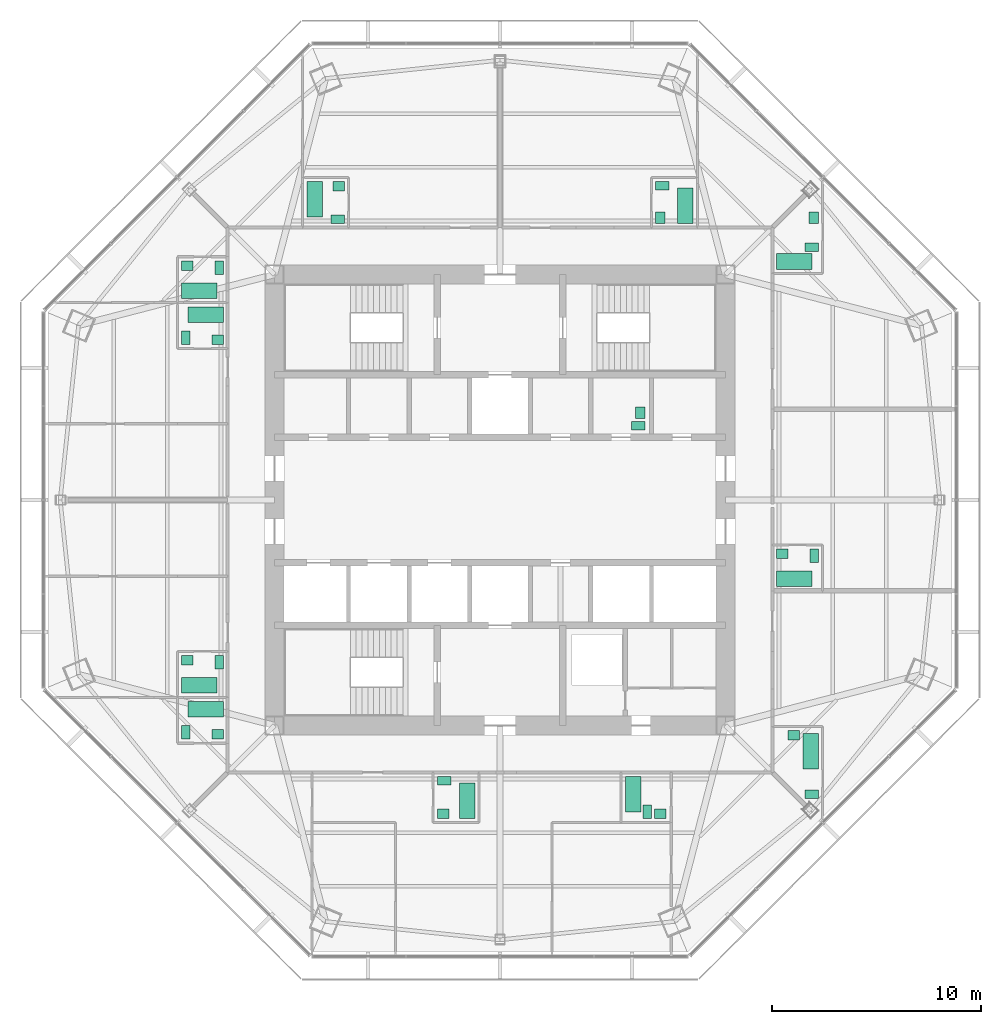
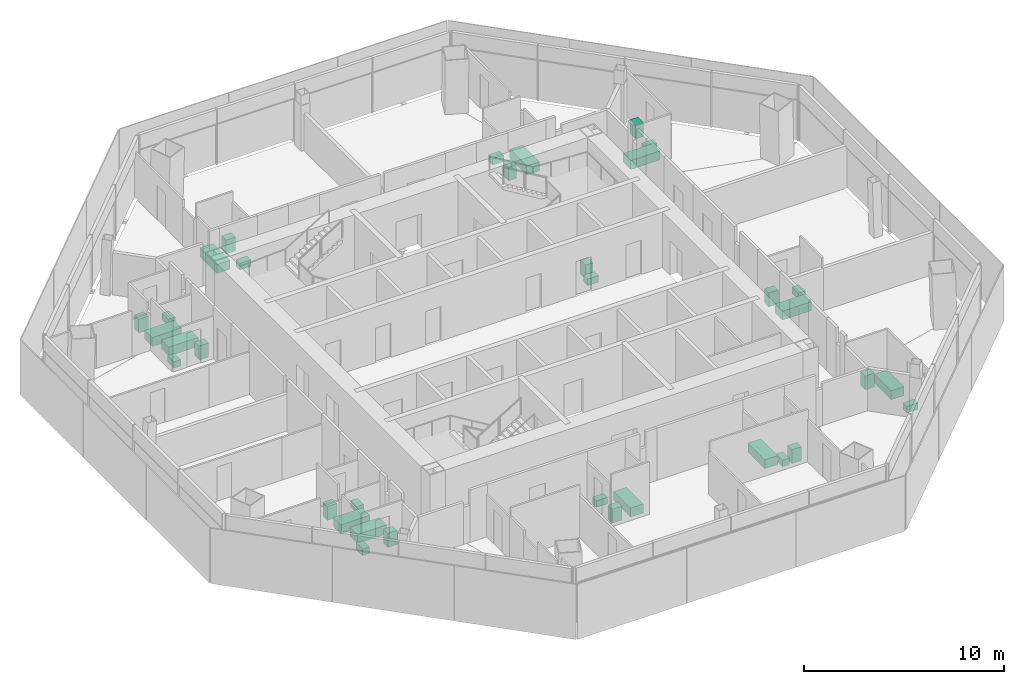
# One storey, part 16 of 16: 35 sanitary terminals.
"""IFC4 building model written with IfcOpenShell, lengths in metres."""

from ifc_helpers import new_model, si_unit, direction, frame, origin, origin_2d, place, context, subcontext, project, spatial, rectangle, extrude, material, type_object, element, save


model = new_model("IFC4")

# Units and contexts
model_context = context("Model", 3, precision=1e-05, world=origin(), true_north=direction((0.0, 1.0)))
body_context = subcontext(model_context, "Body", "Model", "MODEL_VIEW")
ifc_project = project(units=[si_unit("LENGTHUNIT", "METRE"), si_unit("AREAUNIT", "SQUARE_METRE"), si_unit("VOLUMEUNIT", "CUBIC_METRE"), si_unit("PLANEANGLEUNIT", "RADIAN"), si_unit("MASSUNIT", "GRAM", prefix="KILO")], contexts=[model_context])

# Site, building, storey
site_placement = place(None, origin())
site = spatial("IfcSite", under=ifc_project, at=site_placement, CompositionType="ELEMENT")
building_placement = place(site_placement, origin())
building = spatial("IfcBuilding", under=site, at=building_placement, Name="Mashrafa Tower", CompositionType="ELEMENT")
storey_placement = place(building_placement, frame((0.0, 0.0, 217.60009765625)))
storey = spatial("IfcBuildingStorey", under=building, at=storey_placement, Name="L50", CompositionType="ELEMENT", Elevation=217.60009765625)

# Sanitary terminals
ifc_material_1 = material(Name="Enamelled steel", Category="steel")
sanitary_terminal_type_1 = type_object("IfcSanitaryTerminalType", Name="Bath 1700 x 750", PredefinedType="BATH", material=ifc_material_1)
for number, where, z_axis, x_axis, name in (
    (1, (14.875, -12.044189453125, 0.0), (0.0, 0.0, 1.0), (0.0, 1.0, 0.0), "Bath Apartment 5001 Bathroom"),
    (2, (14.10009765625, -3.77490234375, 0.0), (0.0, 0.0, 1.0), (1.0, 0.0, 0.0), "Bath Apartment 5002 Bathroom"),
    (3, (14.10009765625, 11.425048828125, 0.0), (0.0, 0.0, 1.0), (1.0, 0.0, 0.0), "Bath Apartment 5003 Bathroom"),
    (4, (8.875, 14.10009765625, 0.0), (0.0, 0.0, 1.0), (0.0, 1.0, 0.0), "Bath Apartment 5004 Bathroom"),
    (5, (-8.875, 14.39990234375, 0.0), (0.0, 0.0, 1.0), (0.0, -1.0, 0.0), "Bath Apartment 5005 Bathroom"),
    (6, (-14.39990234375, 10.02490234375, 0.0), (0.0, 0.0, 1.0), (1.0, 0.0, 0.0), "Bath Apartment 5006 En-suite Bathroom"),
    (7, (-14.10009765625, 8.875, 0.0), (0.0, 0.0, 1.0), (-1.0, 0.0, 0.0), "Bath Apartment 5006 Bathroom"),
    (8, (-14.10009765625, -10.02490234375, 0.0), (0.0, 0.0, 1.0), (-1.0, 0.0, 0.0), "Bath Apartment 5007 En-suite Bathroom"),
    (9, (-14.39990234375, -8.875, 0.0), (0.0, 0.0, 1.0), (1.0, 0.0, 0.0), "Bath Apartment 5007 Bathroom"),
    (10, (-1.574951171875, -14.39990234375, 0.0), (0.0, 0.0, 1.0), (0.0, 1.0, 0.0), "Bath Apartment 5008 Bathroom"),
    (11, (6.375, -14.10009765625, 0.0), (0.0, 0.0, 1.0), (0.0, -1.0, 0.0), "Bath Apartment 5008 En-suite Bathroom"),
):
    element("IfcSanitaryTerminal", number, at=place(storey_placement, frame(where, z_axis=z_axis, x_axis=x_axis)), inside=storey, type_object=sanitary_terminal_type_1, Name=name, PredefinedType="BATH", context=body_context, shape_type="SweptSolid", body=[
        extrude(rectangle(XDim=1.699951171875, YDim=0.75, at=origin_2d()), origin(), (0.0, 0.0, 1.0), 0.550048828125),
    ])
ifc_material_2 = material(Name="Vitreous china")
sanitary_terminal_type_2 = type_object("IfcSanitaryTerminalType", Name="Toilet pan 400 x 650", PredefinedType="TOILETPAN", material=ifc_material_2)
for number, where, z_axis, x_axis, name in (
    (12, (6.625, 3.550048828125, 0.0), (0.0, 0.0, 1.0), (0.0, 1.0, 0.0), "Toilet pan Staff WC L50"),
    (13, (14.925048828125, -14.09423828125, 0.0), (0.0, 0.0, 1.0), (0.0, 1.0, 0.0), "Toilet pan Apartment 5001 Bathroom"),
    (14, (15.050048828125, -2.675048828125, 0.0), (0.0, 0.0, 1.0), (-1.0, 0.0, 0.0), "Toilet pan Apartment 5002 Bathroom"),
    (15, (14.925048828125, 12.10009765625, 0.0), (0.0, 0.0, 1.0), (0.0, 1.0, 0.0), "Toilet pan Apartment 5003 Bathroom"),
    (16, (7.77490234375, 15.050048828125, 0.0), (0.0, 0.0, 1.0), (0.0, -1.0, 0.0), "Toilet pan Apartment 5004 Bathroom"),
    (17, (-7.77490234375, 13.449951171875, 0.0), (0.0, 0.0, 1.0), (0.0, 1.0, 0.0), "Toilet pan Apartment 5005 Bathroom"),
    (18, (-13.449951171875, 11.125, 0.0), (0.0, 0.0, 1.0), (-1.0, 0.0, 0.0), "Toilet pan Apartment 5006 En-suite Bathroom"),
    (19, (-15.050048828125, 7.77490234375, 0.0), (0.0, 0.0, 1.0), (1.0, 0.0, 0.0), "Toilet pan Apartment 5006 Bathroom"),
    (20, (-15.050048828125, -11.125, 0.0), (0.0, 0.0, 1.0), (1.0, 0.0, 0.0), "Toilet pan Apartment 5007 En-suite Bathroom"),
    (21, (-13.449951171875, -7.77490234375, 0.0), (0.0, 0.0, 1.0), (-1.0, 0.0, 0.0), "Toilet pan Apartment 5007 Bathroom"),
    (22, (-2.675048828125, -13.449951171875, 0.0), (0.0, 0.0, 1.0), (0.0, -1.0, 0.0), "Toilet pan Apartment 5008 Bathroom"),
    (23, (7.050048828125, -14.925048828125, 0.0), (0.0, 0.0, 1.0), (1.0, 0.0, 0.0), "Toilet pan Apartment 5008 En-suite Bathroom"),
):
    element("IfcSanitaryTerminal", number, at=place(storey_placement, frame(where, z_axis=z_axis, x_axis=x_axis)), inside=storey, type_object=sanitary_terminal_type_2, Name=name, PredefinedType="TOILETPAN", context=body_context, shape_type="SweptSolid", body=[
        extrude(rectangle(XDim=0.39990234375, YDim=0.64990234375, at=origin_2d()), origin(), (0.0, 0.0, 1.0), 0.39990234375),
    ])
ifc_material_3 = material(Name="Vitreous china")
sanitary_terminal_type_3 = type_object("IfcSanitaryTerminalType", Name="Wash basin 550 x 450", PredefinedType="WASHHANDBASIN", material=ifc_material_3)
for number, where, z_axis, x_axis, name in (
    (24, (6.72509765625, 4.175048828125, -0.000244140625), (0.0, 0.0, 1.0), (0.0, 1.0, 0.0), "Wash basin Staff WC L50"),
    (25, (14.074951171875, -11.27490234375, -0.000244140625), (0.0, 0.0, 1.0), (-1.0, 0.0, 0.0), "Wash basin Apartment 5001 Bathroom"),
    (26, (13.52490234375, -2.574951171875, -0.000244140625), (0.0, 0.0, 1.0), (-1.0, 0.0, 0.0), "Wash basin Apartment 5002 Bathroom"),
    (27, (15.02490234375, 13.52490234375, -0.000244140625), (0.0, 0.0, 1.0), (0.0, 1.0, 0.0), "Wash basin Apartment 5003 Bathroom"),
    (28, (7.675048828125, 13.52490234375, -0.000244140625), (0.0, 0.0, 1.0), (0.0, -1.0, 0.0), "Wash basin Apartment 5004 Bathroom"),
    (29, (-7.72509765625, 15.02490234375, -0.000244140625), (0.0, 0.0, 1.0), (-1.0, 0.0, 0.0), "Wash basin Apartment 5005 Bathroom"),
    (30, (-14.97509765625, 11.22509765625, -0.000244140625), (0.0, 0.0, 1.0), (-1.0, 0.0, 0.0), "Wash basin Apartment 5006 En-suite Bathroom"),
    (31, (-13.52490234375, 7.675048828125, -0.000244140625), (0.0, 0.0, 1.0), (1.0, 0.0, 0.0), "Wash basin Apartment 5006 Bathroom"),
    (32, (-13.52490234375, -11.22509765625, -0.000244140625), (0.0, 0.0, 1.0), (1.0, 0.0, 0.0), "Wash basin Apartment 5007 En-suite Bathroom"),
    (33, (-14.97509765625, -7.675048828125, -0.000244140625), (0.0, 0.0, 1.0), (-1.0, 0.0, 0.0), "Wash basin Apartment 5007 Bathroom"),
    (34, (-2.72509765625, -15.02490234375, -0.000244140625), (0.0, 0.0, 1.0), (1.0, 0.0, 0.0), "Wash basin Apartment 5008 Bathroom"),
    (35, (7.675048828125, -15.02490234375, -0.000244140625), (0.0, 0.0, 1.0), (1.0, 0.0, 0.0), "Wash basin Apartment 5008 En-suite Bathroom"),
):
    element("IfcSanitaryTerminal", number, at=place(storey_placement, frame(where, z_axis=z_axis, x_axis=x_axis)), inside=storey, type_object=sanitary_terminal_type_3, Name=name, PredefinedType="WASHHANDBASIN", context=body_context, shape_type="SweptSolid", body=[
        extrude(rectangle(XDim=0.550048828125, YDim=0.449951171875, at=origin_2d()), origin(), (0.0, 0.0, 1.0), 0.85009765625),
    ])

save(model, "model.ifc")
